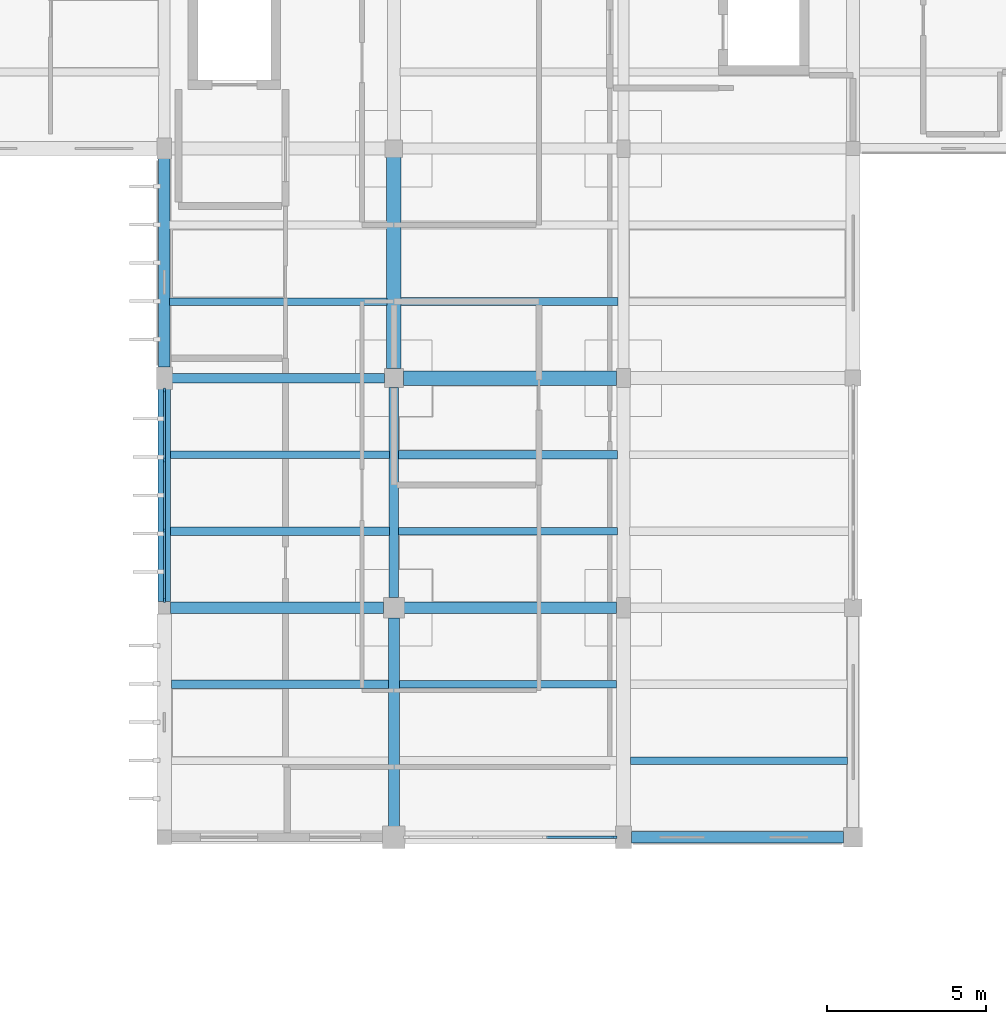
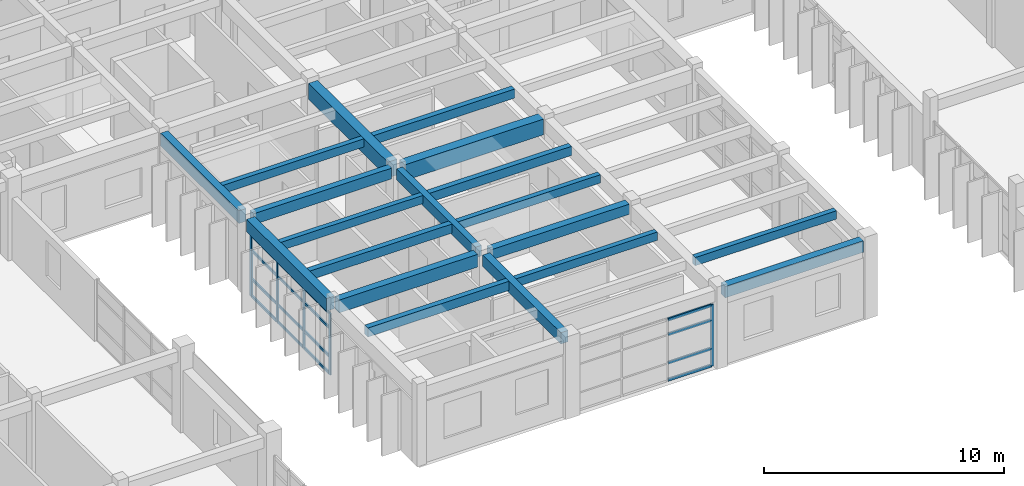
# One storey, part 7 of 55: 21 members, 19 beams, 2 elements without a shape of their own.
"""IFC4 building model written with IfcOpenShell, lengths in metres."""

from ifc_helpers import new_model, si_unit, direction, frame, origin, origin_2d, place, context, subcontext, project, spatial, rectangle, extrude, material, material_profile, profile_set, type_object, element, aggregate, save


model = new_model("IFC4")

# Units and contexts
model_context = context("Model", 3, precision=1e-05, world=origin(), true_north=direction((0.0, 1.0)))
body_context = subcontext(model_context, "Body", "Model", "MODEL_VIEW")
ifc_project = project(units=[si_unit("LENGTHUNIT", "METRE"), si_unit("AREAUNIT", "SQUARE_METRE"), si_unit("VOLUMEUNIT", "CUBIC_METRE"), si_unit("PLANEANGLEUNIT", "RADIAN"), si_unit("MASSUNIT", "GRAM", prefix="KILO")], contexts=[model_context])

# Site, building, storey
site_placement = place(None, origin())
site = spatial("IfcSite", under=ifc_project, at=site_placement, CompositionType="ELEMENT")
building_placement = place(site_placement, origin())
building = spatial("IfcBuilding", under=site, at=building_placement, Name="Steenspoor Specialist Clinic", CompositionType="ELEMENT")
storey_placement = place(building_placement, frame((0.0, 0.0, 13.199951171875)))
storey = spatial("IfcBuildingStorey", under=building, at=storey_placement, Name="L03", CompositionType="ELEMENT", Elevation=13.199951171875)

# Beams
ifc_material_1 = material(Name="Concrete C35/45", Category="concrete")
ifc_material_profile_1 = material_profile(ifc_material_1, rectangle(XDim=0.300048828125, YDim=0.550048828125, at=origin_2d()), Name="RC-BM-300X550")
ifc_profile_set_1 = profile_set([ifc_material_profile_1], Name="Concrete C35/45")
beam_type_1 = type_object("IfcBeamType", Name="BM-RC-300X550", PredefinedType="BEAM", material=ifc_profile_set_1)
beam_1_placement = place(storey_placement, frame((74.2451171875, 86.75, 3.675048828125), z_axis=(1.0, 0.0, 0.0), x_axis=(0.0, 1.0, 0.0)))
element("IfcBeam", 1, at=beam_1_placement, inside=storey, type_object=beam_type_1, Name="BM-V4-L03-X0815", PredefinedType="BEAM", context=body_context, shape_type="SweptSolid", body=[
    extrude(rectangle(XDim=0.300048828125, YDim=0.550048828125, at=origin_2d()), origin(), (0.0, 0.0, 1.0), 6.659912109375),
])
beam_2_placement = place(storey_placement, frame((81.199951171875, 79.8701171875, 3.675048828125), z_axis=(0.0, 1.0, 0.0), x_axis=(-1.0, 0.0, 0.0)))
element("IfcBeam", 2, at=beam_2_placement, inside=storey, type_object=beam_type_1, Name="BM-V4-L03-Y0846", PredefinedType="BEAM", context=body_context, shape_type="SweptSolid", body=[
    extrude(rectangle(XDim=0.300048828125, YDim=0.550048828125, at=origin_2d()), origin(), (0.0, 0.0, 1.0), 6.5849609375),
])
ifc_material_profile_2 = material_profile(ifc_material_1, rectangle(XDim=0.35009765625, YDim=0.52001953125, at=origin_2d()), Name="RC-BM-350X520")
ifc_profile_set_2 = profile_set([ifc_material_profile_2], Name="Concrete C35/45")
beam_type_2 = type_object("IfcBeamType", Name="BM-RC-350X520", PredefinedType="BEAM", material=ifc_profile_set_2)
beam_3_placement = place(storey_placement, frame((81.52001953125, 79.550048828125, 3.68994140625), z_axis=(1.0, 0.0, 0.0), x_axis=(0.0, 1.0, 0.0)))
element("IfcBeam", 3, at=beam_3_placement, inside=storey, type_object=beam_type_2, Name="BM-V4-L03-X0813", PredefinedType="BEAM", context=body_context, shape_type="SweptSolid", body=[
    extrude(rectangle(XDim=0.35009765625, YDim=0.52001953125, at=origin_2d()), origin(), (0.0, 0.0, 1.0), 6.659912109375),
])
ifc_material_profile_3 = material_profile(ifc_material_1, rectangle(XDim=0.35009765625, YDim=0.580078125, at=origin_2d()), Name="RC-BM-350X580")
ifc_profile_set_3 = profile_set([ifc_material_profile_3], Name="Concrete C35/45")
beam_type_3 = type_object("IfcBeamType", Name="BM-RC-350X580", PredefinedType="BEAM", material=ifc_profile_set_3)
beam_4_placement = place(storey_placement, frame((88.64501953125, 72.35009765625, 3.66015625), z_axis=(1.0, 0.0, 0.0), x_axis=(0.0, 1.0, 0.0)))
element("IfcBeam", 4, at=beam_4_placement, inside=storey, type_object=beam_type_3, Name="BM-V4-L03-X0811", PredefinedType="BEAM", context=body_context, shape_type="SweptSolid", body=[
    extrude(rectangle(XDim=0.35009765625, YDim=0.580078125, at=origin_2d()), origin(), (0.0, 0.0, 1.0), 6.659912109375),
])
beam_5_placement = place(storey_placement, frame((81.199951171875, 72.695068359375, 3.66015625), z_axis=(0.0, 1.0, 0.0), x_axis=(-1.0, 0.0, 0.0)))
element("IfcBeam", 5, at=beam_5_placement, inside=storey, type_object=beam_type_3, Name="BM-V4-L03-Y0845", PredefinedType="BEAM", context=body_context, shape_type="SweptSolid", body=[
    extrude(rectangle(XDim=0.35009765625, YDim=0.580078125, at=origin_2d()), origin(), (0.0, 0.0, 1.0), 6.534912109375),
])
ifc_material_profile_4 = material_profile(ifc_material_1, rectangle(XDim=0.35009765625, YDim=0.64990234375, at=origin_2d()), Name="RC-BM-350X650")
ifc_profile_set_4 = profile_set([ifc_material_profile_4], Name="Concrete C35/45")
beam_type_4 = type_object("IfcBeamType", Name="BM-RC-350X650", PredefinedType="BEAM", material=ifc_profile_set_4)
beam_6_placement = place(storey_placement, frame((74.195068359375, 79.550048828125, 3.625), z_axis=(1.0, 0.0, 0.0), x_axis=(0.0, 1.0, 0.0)))
element("IfcBeam", 6, at=beam_6_placement, inside=storey, type_object=beam_type_4, Name="BM-V4-L03-X0812", PredefinedType="BEAM", context=body_context, shape_type="SweptSolid", body=[
    extrude(rectangle(XDim=0.35009765625, YDim=0.64990234375, at=origin_2d()), origin(), (0.0, 0.0, 1.0), 6.684814453125),
])
beam_7_placement = place(storey_placement, frame((74.0, 87.094970703125, 3.625), z_axis=(0.0, 1.0, 0.0), x_axis=(-1.0, 0.0, 0.0)))
element("IfcBeam", 7, at=beam_7_placement, inside=storey, type_object=beam_type_4, Name="BM-V4-L03-Y0842", PredefinedType="BEAM", context=body_context, shape_type="SweptSolid", body=[
    extrude(rectangle(XDim=0.35009765625, YDim=0.64990234375, at=origin_2d()), origin(), (0.0, 0.0, 1.0), 6.534912109375),
])
ifc_material_profile_5 = material_profile(ifc_material_1, rectangle(XDim=0.39990234375, YDim=0.64990234375, at=origin_2d()), Name="RC-BM-400X650")
ifc_profile_set_5 = profile_set([ifc_material_profile_5], Name="Concrete C35/45")
beam_type_5 = type_object("IfcBeamType", Name="BM-RC-400X650", PredefinedType="BEAM", material=ifc_profile_set_5)
beam_8_placement = place(storey_placement, frame((74.0, 79.7451171875, 3.625), z_axis=(0.0, 1.0, 0.0), x_axis=(-1.0, 0.0, 0.0)))
element("IfcBeam", 8, at=beam_8_placement, inside=storey, type_object=beam_type_5, Name="BM-V4-L03-Y0841", PredefinedType="BEAM", context=body_context, shape_type="SweptSolid", body=[
    extrude(rectangle(XDim=0.39990234375, YDim=0.64990234375, at=origin_2d()), origin(), (0.0, 0.0, 1.0), 6.659912109375),
])
ifc_material_profile_6 = material_profile(ifc_material_1, rectangle(XDim=0.449951171875, YDim=0.800048828125, at=origin_2d()), Name="RC-BM-450X800")
ifc_profile_set_6 = profile_set([ifc_material_profile_6], Name="Concrete C35/45")
beam_type_6 = type_object("IfcBeamType", Name="BM-RC-450X800", PredefinedType="BEAM", material=ifc_profile_set_6)
beam_9_placement = place(storey_placement, frame((81.4951171875, 86.75, 3.550048828125), z_axis=(1.0, 0.0, 0.0), x_axis=(0.0, 1.0, 0.0)))
element("IfcBeam", 9, at=beam_9_placement, inside=storey, type_object=beam_type_6, Name="BM-V4-L03-X0816", PredefinedType="BEAM", context=body_context, shape_type="SweptSolid", body=[
    extrude(rectangle(XDim=0.449951171875, YDim=0.800048828125, at=origin_2d()), origin(), (0.0, 0.0, 1.0), 6.684814453125),
])
beam_10_placement = place(storey_placement, frame((81.199951171875, 87.044921875, 3.550048828125), z_axis=(0.0, 1.0, 0.0), x_axis=(-1.0, 0.0, 0.0)))
element("IfcBeam", 10, at=beam_10_placement, inside=storey, type_object=beam_type_6, Name="BM-V4-L03-Y0847", PredefinedType="BEAM", context=body_context, shape_type="SweptSolid", body=[
    extrude(rectangle(XDim=0.449951171875, YDim=0.800048828125, at=origin_2d()), origin(), (0.0, 0.0, 1.0), 6.635009765625),
])

# Curtain wall, members
ifc_material_2 = material(Name="Thermally broken aluminium and low-emissivity glass", Category="aluminium")
curtain_wall_type_1 = type_object("IfcCurtainWallType", Name="CW-WLK-520X340", PredefinedType="USERDEFINED", material=ifc_material_2)
curtain_wall_1_placement = place(storey_placement, origin())
curtain_wall_1 = element("IfcCurtainWall", 11, at=curtain_wall_1_placement, inside=storey, type_object=curtain_wall_type_1, Name="Unitised Curtain Wall CW-V4-L03-117", ObjectType="UNITISED GLAZING", PredefinedType="USERDEFINED")
ifc_material_3 = material(Name="Thermally broken aluminium 6063-T6", Category="aluminium")
ifc_material_profile_7 = material_profile(ifc_material_3, rectangle(XDim=0.06494140625, YDim=0.14990234375, at=origin_2d()), Name="CWM-65X150")
ifc_profile_set_7 = profile_set([ifc_material_profile_7], Name="Thermally broken aluminium 6063-T6")
member_type_1 = type_object("IfcMemberType", Name="CW-MULL-65X150", PredefinedType="MULLION", material=ifc_profile_set_7)
member_1_placement = place(storey_placement, frame((74.0, 79.782470703125, 0.0), z_axis=(0.0, 0.0, 1.0), x_axis=(-1.0, 0.0, 0.0)))
member_1 = element("IfcMember", 12, at=member_1_placement, type_object=member_type_1, Name="CW-21 mullion 1", PredefinedType="MULLION", context=body_context, shape_type="SweptSolid", body=[
    extrude(rectangle(XDim=0.06494140625, YDim=0.14990234375, at=origin_2d()), origin(), (0.0, 0.0, 1.0), 3.130126953125),
])
member_2_placement = place(storey_placement, frame((74.0, 81.966552734375, 0.0), z_axis=(0.0, 0.0, 1.0), x_axis=(-1.0, 0.0, 0.0)))
member_2 = element("IfcMember", 13, at=member_2_placement, type_object=member_type_1, Name="CW-21 mullion 2", PredefinedType="MULLION", context=body_context, shape_type="SweptSolid", body=[
    extrude(rectangle(XDim=0.06494140625, YDim=0.14990234375, at=origin_2d()), origin(), (0.0, 0.0, 1.0), 3.130126953125),
])
member_3_placement = place(storey_placement, frame((74.0, 84.183349609375, 0.0), z_axis=(0.0, 0.0, 1.0), x_axis=(-1.0, 0.0, 0.0)))
member_3 = element("IfcMember", 14, at=member_3_placement, type_object=member_type_1, Name="CW-21 mullion 3", PredefinedType="MULLION", context=body_context, shape_type="SweptSolid", body=[
    extrude(rectangle(XDim=0.06494140625, YDim=0.14990234375, at=origin_2d()), origin(), (0.0, 0.0, 1.0), 3.130126953125),
])
member_4_placement = place(storey_placement, frame((74.0, 86.367431640625, 0.0), z_axis=(0.0, 0.0, 1.0), x_axis=(-1.0, 0.0, 0.0)))
member_4 = element("IfcMember", 15, at=member_4_placement, type_object=member_type_1, Name="CW-21 mullion 4", PredefinedType="MULLION", context=body_context, shape_type="SweptSolid", body=[
    extrude(rectangle(XDim=0.06494140625, YDim=0.14990234375, at=origin_2d()), origin(), (0.0, 0.0, 1.0), 3.130126953125),
])

# Curtain wall, member
curtain_wall_type_2 = type_object("IfcCurtainWallType", Name="CW-WLK-640X340", PredefinedType="USERDEFINED", material=ifc_material_2)
curtain_wall_2_placement = place(storey_placement, origin())
curtain_wall_2 = element("IfcCurtainWall", 16, at=curtain_wall_2_placement, inside=storey, type_object=curtain_wall_type_2, Name="Unitised Curtain Wall CW-V4-L03-116", ObjectType="UNITISED GLAZING", PredefinedType="USERDEFINED")
ifc_material_profile_8 = material_profile(ifc_material_3, rectangle(XDim=0.070068359375, YDim=0.1650390625, at=origin_2d()), Name="CWM-70X165")
ifc_profile_set_8 = profile_set([ifc_material_profile_8], Name="Thermally broken aluminium 6063-T6")
member_type_2 = type_object("IfcMemberType", Name="CW-MULL-70X165", PredefinedType="MULLION", material=ifc_profile_set_8)
member_5_placement = place(storey_placement, frame((88.114990234375, 72.35009765625, 0.0), z_axis=(0.0, 0.0, 1.0), x_axis=(0.0, -1.0, 0.0)))
member_5 = element("IfcMember", 17, at=member_5_placement, type_object=member_type_2, Name="CW-20 mullion 1", PredefinedType="MULLION", context=body_context, shape_type="SweptSolid", body=[
    extrude(rectangle(XDim=0.070068359375, YDim=0.1650390625, at=origin_2d()), origin(), (0.0, 0.0, 1.0), 3.130126953125),
])

# Member
ifc_material_profile_9 = material_profile(ifc_material_3, rectangle(XDim=0.06494140625, YDim=0.1298828125, at=origin_2d()), Name="CWT-65X130")
ifc_profile_set_9 = profile_set([ifc_material_profile_9], Name="Thermally broken aluminium 6063-T6")
member_type_3 = type_object("IfcMemberType", Name="CW-TRAN-65X130", PredefinedType="USERDEFINED", material=ifc_profile_set_9)
member_6_placement = place(storey_placement, frame((74.0, 79.81494140625, 0.032470703125), z_axis=(0.0, 1.0, 0.0), x_axis=(-1.0, 0.0, 0.0)))
member_6 = element("IfcMember", 18, at=member_6_placement, type_object=member_type_3, Name="CW-21 transom 1.1", ObjectType="TRANSOM", PredefinedType="USERDEFINED", context=body_context, shape_type="SweptSolid", body=[
    extrude(rectangle(XDim=0.06494140625, YDim=0.1298828125, at=origin_2d()), origin(), (0.0, 0.0, 1.0), 2.119140625),
])

member_7_placement = place(storey_placement, frame((74.0, 79.81494140625, 0.900146484375), z_axis=(0.0, 1.0, 0.0), x_axis=(-1.0, 0.0, 0.0)))
member_7 = element("IfcMember", 19, at=member_7_placement, type_object=member_type_3, Name="CW-21 transom 1.2", ObjectType="TRANSOM", PredefinedType="USERDEFINED", context=body_context, shape_type="SweptSolid", body=[
    extrude(rectangle(XDim=0.06494140625, YDim=0.1298828125, at=origin_2d()), origin(), (0.0, 0.0, 1.0), 2.119140625),
])

member_8_placement = place(storey_placement, frame((74.0, 79.81494140625, 2.35009765625), z_axis=(0.0, 1.0, 0.0), x_axis=(-1.0, 0.0, 0.0)))
member_8 = element("IfcMember", 20, at=member_8_placement, type_object=member_type_3, Name="CW-21 transom 1.3", ObjectType="TRANSOM", PredefinedType="USERDEFINED", context=body_context, shape_type="SweptSolid", body=[
    extrude(rectangle(XDim=0.06494140625, YDim=0.1298828125, at=origin_2d()), origin(), (0.0, 0.0, 1.0), 2.119140625),
])

member_9_placement = place(storey_placement, frame((74.0, 79.81494140625, 3.09765625), z_axis=(0.0, 1.0, 0.0), x_axis=(-1.0, 0.0, 0.0)))
member_9 = element("IfcMember", 21, at=member_9_placement, type_object=member_type_3, Name="CW-21 transom 1.4", ObjectType="TRANSOM", PredefinedType="USERDEFINED", context=body_context, shape_type="SweptSolid", body=[
    extrude(rectangle(XDim=0.06494140625, YDim=0.1298828125, at=origin_2d()), origin(), (0.0, 0.0, 1.0), 2.119140625),
])

member_10_placement = place(storey_placement, frame((74.0, 81.999267578125, 0.032470703125), z_axis=(0.0, 1.0, 0.0), x_axis=(-1.0, 0.0, 0.0)))
member_10 = element("IfcMember", 22, at=member_10_placement, type_object=member_type_3, Name="CW-21 transom 2.1", ObjectType="TRANSOM", PredefinedType="USERDEFINED", context=body_context, shape_type="SweptSolid", body=[
    extrude(rectangle(XDim=0.06494140625, YDim=0.1298828125, at=origin_2d()), origin(), (0.0, 0.0, 1.0), 2.151611328125),
])

member_11_placement = place(storey_placement, frame((74.0, 81.999267578125, 0.900146484375), z_axis=(0.0, 1.0, 0.0), x_axis=(-1.0, 0.0, 0.0)))
member_11 = element("IfcMember", 23, at=member_11_placement, type_object=member_type_3, Name="CW-21 transom 2.2", ObjectType="TRANSOM", PredefinedType="USERDEFINED", context=body_context, shape_type="SweptSolid", body=[
    extrude(rectangle(XDim=0.06494140625, YDim=0.1298828125, at=origin_2d()), origin(), (0.0, 0.0, 1.0), 2.151611328125),
])

member_12_placement = place(storey_placement, frame((74.0, 81.999267578125, 2.35009765625), z_axis=(0.0, 1.0, 0.0), x_axis=(-1.0, 0.0, 0.0)))
member_12 = element("IfcMember", 24, at=member_12_placement, type_object=member_type_3, Name="CW-21 transom 2.3", ObjectType="TRANSOM", PredefinedType="USERDEFINED", context=body_context, shape_type="SweptSolid", body=[
    extrude(rectangle(XDim=0.06494140625, YDim=0.1298828125, at=origin_2d()), origin(), (0.0, 0.0, 1.0), 2.151611328125),
])

member_13_placement = place(storey_placement, frame((74.0, 81.999267578125, 3.09765625), z_axis=(0.0, 1.0, 0.0), x_axis=(-1.0, 0.0, 0.0)))
member_13 = element("IfcMember", 25, at=member_13_placement, type_object=member_type_3, Name="CW-21 transom 2.4", ObjectType="TRANSOM", PredefinedType="USERDEFINED", context=body_context, shape_type="SweptSolid", body=[
    extrude(rectangle(XDim=0.06494140625, YDim=0.1298828125, at=origin_2d()), origin(), (0.0, 0.0, 1.0), 2.151611328125),
])

member_14_placement = place(storey_placement, frame((74.0, 84.2158203125, 0.032470703125), z_axis=(0.0, 1.0, 0.0), x_axis=(-1.0, 0.0, 0.0)))
member_14 = element("IfcMember", 26, at=member_14_placement, type_object=member_type_3, Name="CW-21 transom 3.1", ObjectType="TRANSOM", PredefinedType="USERDEFINED", context=body_context, shape_type="SweptSolid", body=[
    extrude(rectangle(XDim=0.06494140625, YDim=0.1298828125, at=origin_2d()), origin(), (0.0, 0.0, 1.0), 2.119140625),
])

member_15_placement = place(storey_placement, frame((74.0, 84.2158203125, 0.900146484375), z_axis=(0.0, 1.0, 0.0), x_axis=(-1.0, 0.0, 0.0)))
member_15 = element("IfcMember", 27, at=member_15_placement, type_object=member_type_3, Name="CW-21 transom 3.2", ObjectType="TRANSOM", PredefinedType="USERDEFINED", context=body_context, shape_type="SweptSolid", body=[
    extrude(rectangle(XDim=0.06494140625, YDim=0.1298828125, at=origin_2d()), origin(), (0.0, 0.0, 1.0), 2.119140625),
])

member_16_placement = place(storey_placement, frame((74.0, 84.2158203125, 2.35009765625), z_axis=(0.0, 1.0, 0.0), x_axis=(-1.0, 0.0, 0.0)))
member_16 = element("IfcMember", 28, at=member_16_placement, type_object=member_type_3, Name="CW-21 transom 3.3", ObjectType="TRANSOM", PredefinedType="USERDEFINED", context=body_context, shape_type="SweptSolid", body=[
    extrude(rectangle(XDim=0.06494140625, YDim=0.1298828125, at=origin_2d()), origin(), (0.0, 0.0, 1.0), 2.119140625),
])

member_17_placement = place(storey_placement, frame((74.0, 84.2158203125, 3.09765625), z_axis=(0.0, 1.0, 0.0), x_axis=(-1.0, 0.0, 0.0)))
member_17 = element("IfcMember", 29, at=member_17_placement, type_object=member_type_3, Name="CW-21 transom 3.4", ObjectType="TRANSOM", PredefinedType="USERDEFINED", context=body_context, shape_type="SweptSolid", body=[
    extrude(rectangle(XDim=0.06494140625, YDim=0.1298828125, at=origin_2d()), origin(), (0.0, 0.0, 1.0), 2.119140625),
])

aggregate(curtain_wall_1, [member_1, member_2, member_3, member_4, member_6, member_7, member_8, member_9, member_10, member_11, member_12, member_13, member_14, member_15, member_16, member_17])

ifc_material_profile_10 = material_profile(ifc_material_3, rectangle(XDim=0.070068359375, YDim=0.14501953125, at=origin_2d()), Name="CWT-70X145")
ifc_profile_set_10 = profile_set([ifc_material_profile_10], Name="Thermally broken aluminium 6063-T6")
member_type_4 = type_object("IfcMemberType", Name="CW-TRAN-70X145", PredefinedType="USERDEFINED", material=ifc_profile_set_10)
member_18_placement = place(storey_placement, frame((88.080078125, 72.35009765625, 0.03515625), z_axis=(-1.0, 0.0, 0.0), x_axis=(0.0, -1.0, 0.0)))
member_18 = element("IfcMember", 30, at=member_18_placement, type_object=member_type_4, Name="CW-20 transom 1.1", ObjectType="TRANSOM", PredefinedType="USERDEFINED", context=body_context, shape_type="SweptSolid", body=[
    extrude(rectangle(XDim=0.070068359375, YDim=0.14501953125, at=origin_2d()), origin(), (0.0, 0.0, 1.0), 2.094970703125),
])

member_19_placement = place(storey_placement, frame((88.080078125, 72.35009765625, 0.900146484375), z_axis=(-1.0, 0.0, 0.0), x_axis=(0.0, -1.0, 0.0)))
member_19 = element("IfcMember", 31, at=member_19_placement, type_object=member_type_4, Name="CW-20 transom 1.2", ObjectType="TRANSOM", PredefinedType="USERDEFINED", context=body_context, shape_type="SweptSolid", body=[
    extrude(rectangle(XDim=0.070068359375, YDim=0.14501953125, at=origin_2d()), origin(), (0.0, 0.0, 1.0), 2.094970703125),
])

member_20_placement = place(storey_placement, frame((88.080078125, 72.35009765625, 2.35009765625), z_axis=(-1.0, 0.0, 0.0), x_axis=(0.0, -1.0, 0.0)))
member_20 = element("IfcMember", 32, at=member_20_placement, type_object=member_type_4, Name="CW-20 transom 1.3", ObjectType="TRANSOM", PredefinedType="USERDEFINED", context=body_context, shape_type="SweptSolid", body=[
    extrude(rectangle(XDim=0.070068359375, YDim=0.14501953125, at=origin_2d()), origin(), (0.0, 0.0, 1.0), 2.094970703125),
])

member_21_placement = place(storey_placement, frame((88.080078125, 72.35009765625, 3.094970703125), z_axis=(-1.0, 0.0, 0.0), x_axis=(0.0, -1.0, 0.0)))
member_21 = element("IfcMember", 33, at=member_21_placement, type_object=member_type_4, Name="CW-20 transom 1.4", ObjectType="TRANSOM", PredefinedType="USERDEFINED", context=body_context, shape_type="SweptSolid", body=[
    extrude(rectangle(XDim=0.070068359375, YDim=0.14501953125, at=origin_2d()), origin(), (0.0, 0.0, 1.0), 2.094970703125),
])

aggregate(curtain_wall_2, [member_5, member_18, member_19, member_20, member_21])

# Beams
ifc_material_profile_11 = material_profile(ifc_material_1, rectangle(XDim=0.239990234375, YDim=0.419921875, at=origin_2d()), Name="RC-JT-240X420")
ifc_profile_set_11 = profile_set([ifc_material_profile_11], Name="Concrete C35/45")
beam_type_7 = type_object("IfcBeamType", Name="JT-RC-240X420", PredefinedType="JOIST", material=ifc_profile_set_11)
beam_11_placement = place(storey_placement, frame((74.195068359375, 84.35009765625, 3.739990234375), z_axis=(1.0, 0.0, 0.0), x_axis=(0.0, 1.0, 0.0)))
element("IfcBeam", 34, at=beam_11_placement, inside=storey, type_object=beam_type_7, Name="JT-V4-L03-0879", PredefinedType="JOIST", context=body_context, shape_type="SweptSolid", body=[
    extrude(rectangle(XDim=0.239990234375, YDim=0.419921875, at=origin_2d()), origin(), (0.0, 0.0, 1.0), 6.85986328125),
])
beam_12_placement = place(storey_placement, frame((74.169921875, 89.14990234375, 3.739990234375), z_axis=(1.0, 0.0, 0.0), x_axis=(0.0, 1.0, 0.0)))
element("IfcBeam", 35, at=beam_12_placement, inside=storey, type_object=beam_type_7, Name="JT-V4-L03-0880", PredefinedType="JOIST", context=body_context, shape_type="SweptSolid", body=[
    extrude(rectangle(XDim=0.239990234375, YDim=0.419921875, at=origin_2d()), origin(), (0.0, 0.0, 1.0), 6.81005859375),
])
beam_13_placement = place(storey_placement, frame((81.3701171875, 77.14990234375, 3.739990234375), z_axis=(1.0, 0.0, 0.0), x_axis=(0.0, 1.0, 0.0)))
element("IfcBeam", 36, at=beam_13_placement, inside=storey, type_object=beam_type_7, Name="JT-V4-L03-0885", PredefinedType="JOIST", context=body_context, shape_type="SweptSolid", body=[
    extrude(rectangle(XDim=0.239990234375, YDim=0.419921875, at=origin_2d()), origin(), (0.0, 0.0, 1.0), 6.809814453125),
])
beam_14_placement = place(storey_placement, frame((81.344970703125, 81.949951171875, 3.739990234375), z_axis=(1.0, 0.0, 0.0), x_axis=(0.0, 1.0, 0.0)))
element("IfcBeam", 37, at=beam_14_placement, inside=storey, type_object=beam_type_7, Name="JT-V4-L03-0886", PredefinedType="JOIST", context=body_context, shape_type="SweptSolid", body=[
    extrude(rectangle(XDim=0.239990234375, YDim=0.419921875, at=origin_2d()), origin(), (0.0, 0.0, 1.0), 6.860107421875),
])
beam_15_placement = place(storey_placement, frame((88.6201171875, 74.75, 3.739990234375), z_axis=(1.0, 0.0, 0.0), x_axis=(0.0, 1.0, 0.0)))
element("IfcBeam", 38, at=beam_15_placement, inside=storey, type_object=beam_type_7, Name="JT-V4-L03-0892", PredefinedType="JOIST", context=body_context, shape_type="SweptSolid", body=[
    extrude(rectangle(XDim=0.239990234375, YDim=0.419921875, at=origin_2d()), origin(), (0.0, 0.0, 1.0), 6.809814453125),
])
ifc_material_profile_12 = material_profile(ifc_material_1, rectangle(XDim=0.260009765625, YDim=0.4599609375, at=origin_2d()), Name="RC-JT-260X460")
ifc_profile_set_12 = profile_set([ifc_material_profile_12], Name="Concrete C35/45")
beam_type_8 = type_object("IfcBeamType", Name="JT-RC-260X460", PredefinedType="JOIST", material=ifc_profile_set_12)
beam_16_placement = place(storey_placement, frame((74.219970703125, 77.14990234375, 3.719970703125), z_axis=(1.0, 0.0, 0.0), x_axis=(0.0, 1.0, 0.0)))
element("IfcBeam", 39, at=beam_16_placement, inside=storey, type_object=beam_type_8, Name="JT-V4-L03-0877", PredefinedType="JOIST", context=body_context, shape_type="SweptSolid", body=[
    extrude(rectangle(XDim=0.260009765625, YDim=0.4599609375, at=origin_2d()), origin(), (0.0, 0.0, 1.0), 6.81005859375),
])
beam_17_placement = place(storey_placement, frame((74.195068359375, 81.949951171875, 3.719970703125), z_axis=(1.0, 0.0, 0.0), x_axis=(0.0, 1.0, 0.0)))
element("IfcBeam", 40, at=beam_17_placement, inside=storey, type_object=beam_type_8, Name="JT-V4-L03-0878", PredefinedType="JOIST", context=body_context, shape_type="SweptSolid", body=[
    extrude(rectangle(XDim=0.260009765625, YDim=0.4599609375, at=origin_2d()), origin(), (0.0, 0.0, 1.0), 6.85986328125),
])
beam_18_placement = place(storey_placement, frame((81.344970703125, 84.35009765625, 3.719970703125), z_axis=(1.0, 0.0, 0.0), x_axis=(0.0, 1.0, 0.0)))
element("IfcBeam", 41, at=beam_18_placement, inside=storey, type_object=beam_type_8, Name="JT-V4-L03-0887", PredefinedType="JOIST", context=body_context, shape_type="SweptSolid", body=[
    extrude(rectangle(XDim=0.260009765625, YDim=0.4599609375, at=origin_2d()), origin(), (0.0, 0.0, 1.0), 6.860107421875),
])
beam_19_placement = place(storey_placement, frame((81.419921875, 89.14990234375, 3.719970703125), z_axis=(1.0, 0.0, 0.0), x_axis=(0.0, 1.0, 0.0)))
element("IfcBeam", 42, at=beam_19_placement, inside=storey, type_object=beam_type_8, Name="JT-V4-L03-0888", PredefinedType="JOIST", context=body_context, shape_type="SweptSolid", body=[
    extrude(rectangle(XDim=0.260009765625, YDim=0.4599609375, at=origin_2d()), origin(), (0.0, 0.0, 1.0), 6.81005859375),
])

save(model, "model.ifc")
